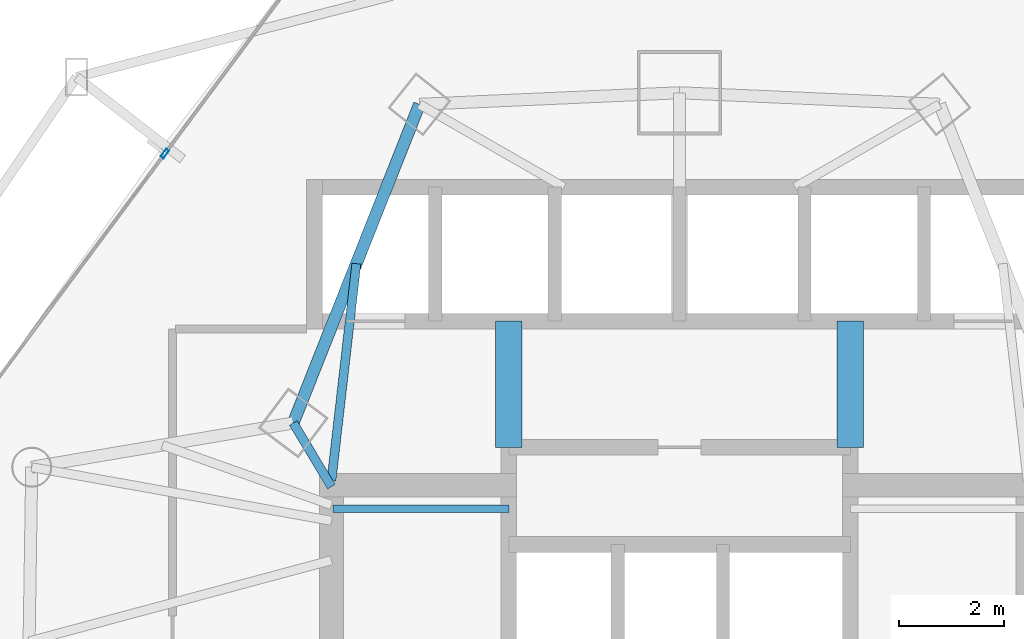
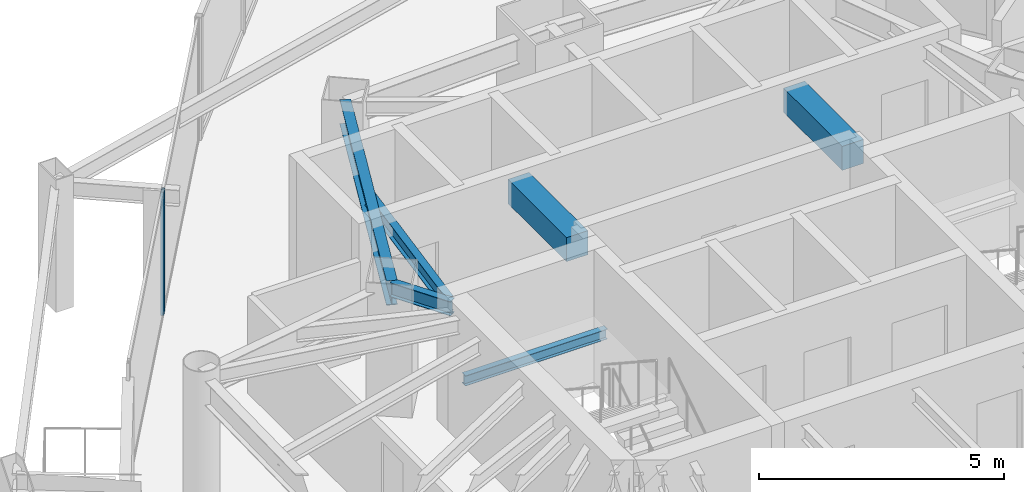
# One storey, part 21 of 34: 6 beams, 1 member, 1 element without a shape of its own.
"""IFC4 building model written with IfcOpenShell, lengths in metres."""

from ifc_helpers import new_model, si_unit, direction, frame, origin, origin_2d, place, context, subcontext, project, spatial, rectangle, hollow_rectangle, i_section, extrude, material, layer, layer_set, material_profile, profile_set, type_object, element, aggregate, save


model = new_model("IFC4")

# Units and contexts
model_context = context("Model", 3, precision=1e-05, world=origin(), true_north=direction((0.0, 1.0)))
body_context = subcontext(model_context, "Body", "Model", "MODEL_VIEW")
ifc_project = project(units=[si_unit("LENGTHUNIT", "METRE"), si_unit("AREAUNIT", "SQUARE_METRE"), si_unit("VOLUMEUNIT", "CUBIC_METRE"), si_unit("PLANEANGLEUNIT", "RADIAN"), si_unit("MASSUNIT", "GRAM", prefix="KILO")], contexts=[model_context])

# Site, building, storey
site_placement = place(None, origin())
site = spatial("IfcSite", under=ifc_project, at=site_placement, CompositionType="ELEMENT")
building_placement = place(site_placement, origin())
building = spatial("IfcBuilding", under=site, at=building_placement, Name="Orvanel Arch Residences", CompositionType="ELEMENT")
storey_placement = place(building_placement, frame((0.0, 0.0, 77.449951171875)))
storey = spatial("IfcBuildingStorey", under=building, at=storey_placement, Name="L21", CompositionType="ELEMENT", Elevation=77.449951171875)

# Beams
ifc_material_1 = material(Name="Structural steel AS/NZS 3679.1 Grade 300 (300 MPa)", Category="steel")
ifc_material_profile_1 = material_profile(ifc_material_1, i_section(OverallWidth=0.14599609375, OverallDepth=0.251953125, WebThickness=0.006103515625, FlangeThickness=0.008544921875, at=origin_2d()), Name="250UB31.4")
ifc_profile_set_1 = profile_set([ifc_material_profile_1], Name="Structural steel AS/NZS 3679.1 Grade 300 (300 MPa)")
beam_type_1 = type_object("IfcBeamType", Name="BJ-250UB", PredefinedType="JOIST", material=ifc_profile_set_1)
beam_1_placement = place(storey_placement, frame((26.39990234375, 33.47998046875, 1.323974609375), z_axis=(1.0, 0.0, 0.0), x_axis=(0.0, 1.0, 0.0)))
element("IfcBeam", 1, at=beam_1_placement, inside=storey, type_object=beam_type_1, Name="L21 ST-1 Half-Landing Support Beam 1.2", PredefinedType="JOIST", context=body_context, shape_type="SweptSolid", body=[
    extrude(i_section(OverallWidth=0.14599609375, OverallDepth=0.251953125, WebThickness=0.006103515625, FlangeThickness=0.008544921875, at=origin_2d()), origin(), (0.0, 0.0, 1.0), 3.35009765625),
])
ifc_material_profile_2 = material_profile(ifc_material_1, i_section(OverallWidth=0.1708984375, OverallDepth=0.35595703125, WebThickness=0.00732421875, FlangeThickness=0.011474609375, at=origin_2d()), Name="360UB50.7")
ifc_profile_set_2 = profile_set([ifc_material_profile_2], Name="Structural steel AS/NZS 3679.1 Grade 300 (300 MPa)")
beam_type_2 = type_object("IfcBeamType", Name="BJ-360UB", PredefinedType="JOIST", material=ifc_profile_set_2)
beam_2_placement = place(storey_placement, frame((26.375, 33.89990234375, 2.882080078125), z_axis=(-0.514064138778, 0.857751748015, 0.0), x_axis=(-0.857751748015, -0.514064138778, 0.0)))
element("IfcBeam", 2, at=beam_2_placement, inside=storey, type_object=beam_type_2, Name="L21 NNW Wing Floor Joist", PredefinedType="JOIST", context=body_context, shape_type="SweptSolid", body=[
    extrude(i_section(OverallWidth=0.1708984375, OverallDepth=0.35595703125, WebThickness=0.00732421875, FlangeThickness=0.011474609375, at=origin_2d()), origin(), (0.0, 0.0, 1.0), 1.414306640625),
])
beam_3_placement = place(storey_placement, frame((26.375, 34.02001953125, 2.882080078125), z_axis=(0.114186670431, 0.993459311847, 0.0), x_axis=(-0.993459311847, 0.114186670431, 0.0)))
element("IfcBeam", 3, at=beam_3_placement, inside=storey, type_object=beam_type_2, Name="L21 NNW2 Wing Floor Joist", PredefinedType="JOIST", context=body_context, shape_type="SweptSolid", body=[
    extrude(i_section(OverallWidth=0.1708984375, OverallDepth=0.35595703125, WebThickness=0.00732421875, FlangeThickness=0.011474609375, at=origin_2d()), origin(), (0.0, 0.0, 1.0), 4.152099609375),
])
ifc_material_2 = material(Name="Concrete S65 (65 MPa)", Category="concrete")
ifc_material_profile_3 = material_profile(ifc_material_2, rectangle(XDim=0.5, YDim=0.60009765625, at=origin_2d()), Name="RC500x600")
ifc_profile_set_3 = profile_set([ifc_material_profile_3], Name="Concrete S65 (65 MPa)")
beam_type_3 = type_object("IfcBeamType", Name="CB-500x600", PredefinedType="LINTEL", material=ifc_profile_set_3)
for number, where, z_axis, x_axis, name in (
    (4, (29.75, 34.64990234375, 2.760009765625), (0.0, 1.0, 0.0), (-1.0, 0.0, 0.0), "L21 West Core Lobby Coupling Lintel Beam"),
    (5, (36.25, 34.64990234375, 2.760009765625), (0.0, 1.0, 0.0), (-1.0, 0.0, 0.0), "L21 East Core Lobby Coupling Lintel Beam"),
):
    element("IfcBeam", number, at=place(storey_placement, frame(where, z_axis=z_axis, x_axis=x_axis)), inside=storey, type_object=beam_type_3, Name=name, PredefinedType="LINTEL", context=body_context, shape_type="SweptSolid", body=[
        extrude(rectangle(XDim=0.5, YDim=0.60009765625, at=origin_2d()), origin(), (0.0, 0.0, 1.0), 2.400146484375),
    ])

# Curtain wall, member
ifc_material_3 = material(Name="Bronze-anodised aluminium AA6063-T6", Category="aluminium")
ifc_layer = layer(ifc_material_3, 0.179931640625)
ifc_layer_set = layer_set([ifc_layer], Name="Bronze-anodised aluminium AA6063-T6")
curtain_wall_type = type_object("IfcCurtainWallType", Name="CW2-LOW-SYS", PredefinedType="NOTDEFINED", material=ifc_layer_set)
curtain_wall_placement = place(storey_placement, origin())
curtain_wall = element("IfcCurtainWall", 6, at=curtain_wall_placement, inside=storey, type_object=curtain_wall_type, Name="L21 CW2-LOW-SYS Unitised Curtain Wall", PredefinedType="NOTDEFINED")
ifc_material_profile_4 = material_profile(ifc_material_3, hollow_rectangle(XDim=0.070068359375, YDim=0.179931640625, WallThickness=0.00439453125, at=origin_2d()), Name="ALU180x70x4.5")
ifc_profile_set_4 = profile_set([ifc_material_profile_4], Name="Bronze-anodised aluminium AA6063-T6")
member_type = type_object("IfcMemberType", Name="MUL-180x70", PredefinedType="MULLION", material=ifc_profile_set_4)
member_placement = place(storey_placement, frame((23.2041015625, 40.239013671875, 0.0), z_axis=(0.0, 0.0, 1.0), x_axis=(0.802859489606, -0.596168298343, 0.0)))
member = element("IfcMember", 7, at=member_placement, type_object=member_type, Name="CW-S2 mullion 2", PredefinedType="MULLION", context=body_context, shape_type="SweptSolid", body=[
    extrude(hollow_rectangle(XDim=0.070068359375, YDim=0.179931640625, WallThickness=0.00439453125, at=origin_2d()), origin(), (0.0, 0.0, 1.0), 3.06005859375),
])
aggregate(curtain_wall, [member])

# Beam
ifc_material_profile_5 = material_profile(ifc_material_1, i_section(OverallWidth=0.22900390625, OverallDepth=0.612060546875, WebThickness=0.011962890625, FlangeThickness=0.01953125, at=origin_2d()), Name="610UB125")
ifc_profile_set_5 = profile_set([ifc_material_profile_5], Name="Structural steel AS/NZS 3679.1 Grade 300 (300 MPa)")
beam_type_4 = type_object("IfcBeamType", Name="SP-610UB", PredefinedType="SPANDREL", material=ifc_profile_set_5)
beam_4_placement = place(storey_placement, frame((28.050048828125, 41.177978515625, 2.754150390625), z_axis=(-0.368233143579, -0.929733484376, 0.0), x_axis=(0.929733484376, -0.368233143579, 0.0)))
element("IfcBeam", 8, at=beam_4_placement, inside=storey, type_object=beam_type_4, Name="L21 Perimeter Spandrel Beam 18", PredefinedType="SPANDREL", context=body_context, shape_type="SweptSolid", body=[
    extrude(i_section(OverallWidth=0.22900390625, OverallDepth=0.612060546875, WebThickness=0.011962890625, FlangeThickness=0.01953125, at=origin_2d()), origin(), (0.0, 0.0, 1.0), 6.523193359375),
])

save(model, "model.ifc")
